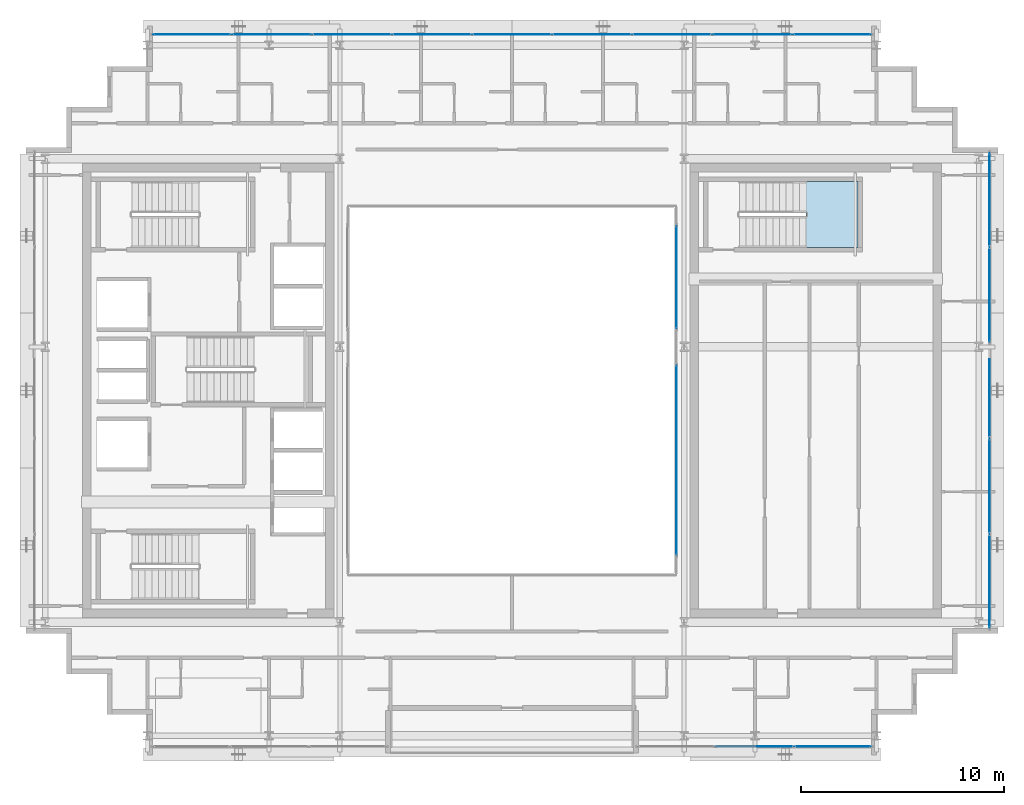
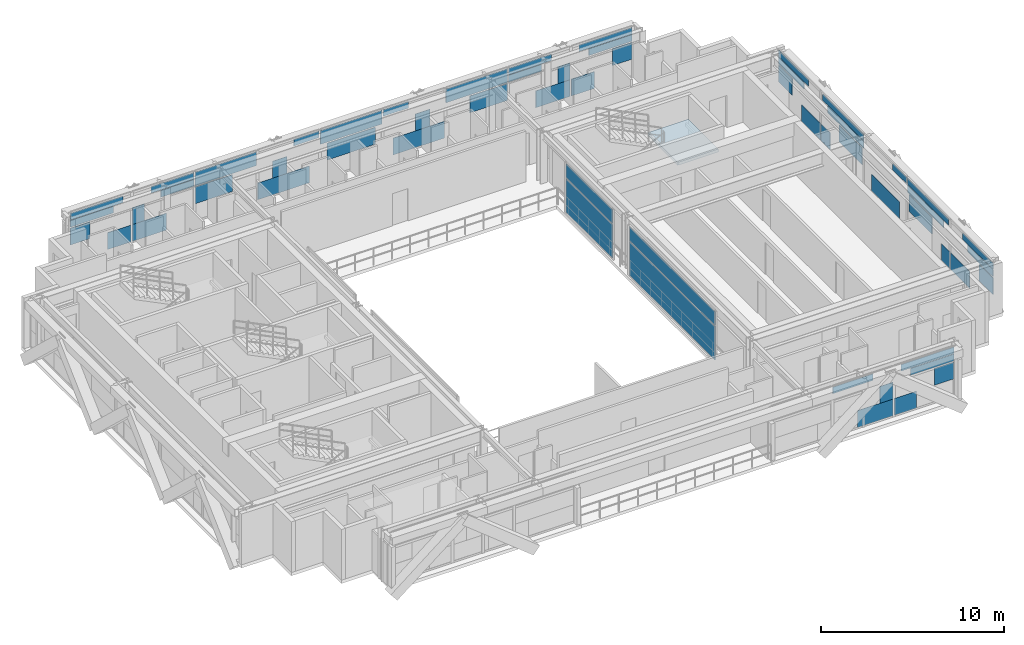
# One storey, part 19 of 29: 57 plates, 1 slab, 6 elements without a shape of their own.
"""IFC4 building model written with IfcOpenShell, lengths in metres."""

from ifc_helpers import new_model, si_unit, direction, frame, origin, origin_2d, place, context, subcontext, project, spatial, polyline, rectangle, outline, extrude, source, transform, mapped, material, layer, layer_set, type_object, element, aggregate, save


model = new_model("IFC4")

# Units and contexts
model_context = context("Model", 3, precision=1e-05, world=origin(), true_north=direction((0.0, 1.0)))
body_context = subcontext(model_context, "Body", "Model", "MODEL_VIEW")
ifc_project = project(units=[si_unit("LENGTHUNIT", "METRE"), si_unit("AREAUNIT", "SQUARE_METRE"), si_unit("VOLUMEUNIT", "CUBIC_METRE"), si_unit("PLANEANGLEUNIT", "RADIAN"), si_unit("MASSUNIT", "GRAM", prefix="KILO")], contexts=[model_context])

# Site, building, storey
site_placement = place(None, origin())
site = spatial("IfcSite", under=ifc_project, at=site_placement, CompositionType="ELEMENT")
building_placement = place(site_placement, origin())
building = spatial("IfcBuilding", under=site, at=building_placement, Name="Ocotamira Hotel", CompositionType="ELEMENT")
storey_placement = place(building_placement, frame((0.0, 0.0, 236.39990234375)))
storey = spatial("IfcBuildingStorey", under=building, at=storey_placement, Name="L59", CompositionType="ELEMENT", Elevation=236.39990234375)

# Stair, slab
ifc_material_1 = material(Name="Concrete C40/50", Category="concrete")
stair_type = type_object("IfcStairType", Name="ST-CORE-1560", PredefinedType="HALF_TURN_STAIR", material=ifc_material_1)
stair_placement = place(storey_placement, origin())
stair = element("IfcStair", 1, at=stair_placement, inside=storey, type_object=stair_type, Name="L59 Exit Stair ST-4", PredefinedType="HALF_TURN_STAIR")
ifc_layer_1 = layer(ifc_material_1, 0.199951171875)
ifc_layer_set_1 = layer_set([ifc_layer_1], Name="Concrete C40/50")
slab_type = type_object("IfcSlabType", Name="SLB-LAND-200", PredefinedType="LANDING", material=ifc_layer_set_1)
slab_placement = place(storey_placement, frame((0.0, 0.0, 1.60009765625)))
slab = element("IfcSlab", 2, at=slab_placement, type_object=slab_type, Name="ST-4 landing 1", PredefinedType="LANDING", context=body_context, shape_type="SweptSolid", body=[
    extrude(outline(polyline([(46.530029296875, 33.050048828125), (49.090087890625, 33.050048828125), (49.090087890625, 36.330078125), (46.530029296875, 36.330078125), (46.530029296875, 33.050048828125)])), origin(), (0.0, 0.0, 1.0), 0.199951171875),
])
aggregate(stair, [slab])

# Curtain wall, plates
ifc_material_2 = material(Name="Anodised pale-metal aluminium and solar glass", Category="aluminium")
ifc_layer_2 = layer(ifc_material_2, 0.239990234375)
ifc_layer_set_2 = layer_set([ifc_layer_2], Name="Anodised pale-metal aluminium and solar glass")
curtain_wall_type_1 = type_object("IfcCurtainWallType", Name="CW-SYS5-SKY", PredefinedType="NOTDEFINED", material=ifc_layer_set_2)
curtain_wall_1_placement = place(storey_placement, origin())
curtain_wall_1 = element("IfcCurtainWall", 3, at=curtain_wall_1_placement, inside=storey, type_object=curtain_wall_type_1, Name="L59 Curtain Wall CW-5 CW-L59-S2", PredefinedType="NOTDEFINED")
ifc_material_3 = material(Name="Double-silver low-E insulated solar glass", Category="glass")
ifc_layer_3 = layer(ifc_material_3, 0.031982421875)
ifc_layer_set_3 = layer_set([ifc_layer_3], Name="Double-silver low-E insulated solar glass")
plate_type = type_object("IfcPlateType", Name="CWP-VISION-32", PredefinedType="CURTAIN_PANEL", material=ifc_layer_set_3)
shared_shape_1 = source(origin(), body_context, "Body", "SweptSolid", [
    extrude(rectangle(XDim=1.4033203125, YDim=0.031982421875, at=origin_2d()), origin(), (0.0, 0.0, 1.0), 1.118896484375),
])
plate_1_placement = place(storey_placement, frame((46.658447265625, 8.419921875, 0.0751953125), z_axis=(0.0, 0.0, 1.0), x_axis=(1.0, 0.0, 0.0)))
plate_1 = element("IfcPlate", 4, at=plate_1_placement, type_object=plate_type, Name="CW-5 panel 3.1.1", PredefinedType="CURTAIN_PANEL", context=body_context, shape_type="MappedRepresentation", body=[
    mapped(shared_shape_1, transform((0.0, 0.0, 0.0), scale=1.0)),
])
shared_shape_2 = source(origin(), body_context, "Body", "SweptSolid", [
    extrude(rectangle(XDim=3.337646484375, YDim=0.031982421875, at=origin_2d()), origin(), (0.0, 0.0, 1.0), 0.4326171875),
])
plate_2_placement = place(storey_placement, frame((48.05126953125, 8.419921875, 2.87255859375), z_axis=(0.0, 0.0, 1.0), x_axis=(1.0, 0.0, 0.0)))
plate_2 = element("IfcPlate", 5, at=plate_2_placement, type_object=plate_type, Name="CW-5 panel 3.2.1", PredefinedType="CURTAIN_PANEL", context=body_context, shape_type="MappedRepresentation", body=[
    mapped(shared_shape_2, transform((0.0, 0.0, 0.0), scale=1.0)),
])

curtain_wall_2_placement = place(storey_placement, origin())
curtain_wall_2 = element("IfcCurtainWall", 6, at=curtain_wall_2_placement, inside=storey, type_object=curtain_wall_type_1, Name="L59 Curtain Wall CW-5 CW-L59-N", PredefinedType="NOTDEFINED")
plate_3_placement = place(storey_placement, frame((15.94873046875, 43.580078125, 2.87255859375), z_axis=(0.0, 0.0, 1.0), x_axis=(1.0, 0.0, 0.0)))
plate_3 = element("IfcPlate", 7, at=plate_3_placement, type_object=plate_type, Name="CW-5 panel 1.2.2", PredefinedType="CURTAIN_PANEL", context=body_context, shape_type="MappedRepresentation", body=[
    mapped(shared_shape_2, transform((0.0, 0.0, 0.0), scale=1.0)),
])
plate_4_placement = place(storey_placement, frame((48.05126953125, 43.580078125, 2.87255859375), z_axis=(0.0, 0.0, 1.0), x_axis=(1.0, 0.0, 0.0)))
plate_4 = element("IfcPlate", 8, at=plate_4_placement, type_object=plate_type, Name="CW-5 panel 9.2.1", PredefinedType="CURTAIN_PANEL", context=body_context, shape_type="MappedRepresentation", body=[
    mapped(shared_shape_2, transform((0.0, 0.0, 0.0), scale=1.0)),
])

# Plate
shared_shape_3 = source(origin(), body_context, "Body", "SweptSolid", [
    extrude(rectangle(XDim=2.544189453125, YDim=0.031982421875, at=origin_2d()), origin(), (0.0, 0.0, 1.0), 0.4326171875),
])
plate_5_placement = place(storey_placement, frame((43.345458984375, 8.419921875, 2.87255859375), z_axis=(0.0, 0.0, 1.0), x_axis=(1.0, 0.0, 0.0)))
plate_5 = element("IfcPlate", 9, at=plate_5_placement, type_object=plate_type, Name="CW-5 panel 2.2.2", PredefinedType="CURTAIN_PANEL", context=body_context, shape_type="MappedRepresentation", body=[
    mapped(shared_shape_3, transform((0.0, 0.0, 0.0), scale=1.0)),
])

shared_shape_4 = source(origin(), body_context, "Body", "SweptSolid", [
    extrude(rectangle(XDim=2.688720703125, YDim=0.031982421875, at=origin_2d()), origin(), (0.0, 0.0, 1.0), 0.4326171875),
])
plate_6_placement = place(storey_placement, frame((20.726806640625, 43.580078125, 2.87255859375), z_axis=(0.0, 0.0, 1.0), x_axis=(1.0, 0.0, 0.0)))
plate_6 = element("IfcPlate", 10, at=plate_6_placement, type_object=plate_type, Name="CW-5 panel 2.2.1", PredefinedType="CURTAIN_PANEL", context=body_context, shape_type="MappedRepresentation", body=[
    mapped(shared_shape_4, transform((0.0, 0.0, 0.0), scale=1.0)),
])

plate_7_placement = place(storey_placement, frame((43.273193359375, 43.580078125, 2.87255859375), z_axis=(0.0, 0.0, 1.0), x_axis=(1.0, 0.0, 0.0)))
plate_7 = element("IfcPlate", 11, at=plate_7_placement, type_object=plate_type, Name="CW-5 panel 8.2.2", PredefinedType="CURTAIN_PANEL", context=body_context, shape_type="MappedRepresentation", body=[
    mapped(shared_shape_4, transform((0.0, 0.0, 0.0), scale=1.0)),
])

shared_shape_5 = source(origin(), body_context, "Body", "SweptSolid", [
    extrude(rectangle(XDim=1.599853515625, YDim=0.031982421875, at=origin_2d()), origin(), (0.0, 0.0, 1.0), 0.4326171875),
])
plate_8_placement = place(storey_placement, frame((29.182373046875, 43.580078125, 2.87255859375), z_axis=(0.0, 0.0, 1.0), x_axis=(1.0, 0.0, 0.0)))
plate_8 = element("IfcPlate", 12, at=plate_8_placement, type_object=plate_type, Name="CW-5 panel 4.2.1", PredefinedType="CURTAIN_PANEL", context=body_context, shape_type="MappedRepresentation", body=[
    mapped(shared_shape_5, transform((0.0, 0.0, 0.0), scale=1.0)),
])

plate_9_placement = place(storey_placement, frame((34.817626953125, 43.580078125, 2.87255859375), z_axis=(0.0, 0.0, 1.0), x_axis=(1.0, 0.0, 0.0)))
plate_9 = element("IfcPlate", 13, at=plate_9_placement, type_object=plate_type, Name="CW-5 panel 6.2.1", PredefinedType="CURTAIN_PANEL", context=body_context, shape_type="MappedRepresentation", body=[
    mapped(shared_shape_5, transform((0.0, 0.0, 0.0), scale=1.0)),
])

shared_shape_6 = source(origin(), body_context, "Body", "SweptSolid", [
    extrude(rectangle(XDim=0.923095703125, YDim=0.031982421875, at=origin_2d()), origin(), (0.0, 0.0, 1.0), 1.118896484375),
])
plate_10_placement = place(storey_placement, frame((27.5, 43.580078125, 1.19384765625), z_axis=(0.0, 0.0, 1.0), x_axis=(1.0, 0.0, 0.0)))
plate_10 = element("IfcPlate", 14, at=plate_10_placement, type_object=plate_type, Name="CW-5 panel 4.1.2", PredefinedType="CURTAIN_PANEL", context=body_context, shape_type="MappedRepresentation", body=[
    mapped(shared_shape_6, transform((0.0, 0.0, 0.0), scale=1.0)),
])

plate_11_placement = place(storey_placement, frame((36.5, 43.580078125, 1.19384765625), z_axis=(0.0, 0.0, 1.0), x_axis=(1.0, 0.0, 0.0)))
plate_11 = element("IfcPlate", 15, at=plate_11_placement, type_object=plate_type, Name="CW-5 panel 6.1.2", PredefinedType="CURTAIN_PANEL", context=body_context, shape_type="MappedRepresentation", body=[
    mapped(shared_shape_6, transform((0.0, 0.0, 0.0), scale=1.0)),
])

shared_shape_7 = source(origin(), body_context, "Body", "SweptSolid", [
    extrude(rectangle(XDim=3.87548828125, YDim=0.031982421875, at=origin_2d()), origin(), (0.0, 0.0, 1.0), 0.91748046875),
])
plate_12_placement = place(storey_placement, frame((24.0888671875, 43.580078125, 2.3876953125), z_axis=(0.0, 0.0, 1.0), x_axis=(1.0, 0.0, 0.0)))
plate_12 = element("IfcPlate", 16, at=plate_12_placement, type_object=plate_type, Name="CW-5 panel 3.2", PredefinedType="CURTAIN_PANEL", context=body_context, shape_type="MappedRepresentation", body=[
    mapped(shared_shape_7, transform((0.0, 0.0, 0.0), scale=1.0)),
])

plate_13_placement = place(storey_placement, frame((32.0, 43.580078125, 2.3876953125), z_axis=(0.0, 0.0, 1.0), x_axis=(1.0, 0.0, 0.0)))
plate_13 = element("IfcPlate", 17, at=plate_13_placement, type_object=plate_type, Name="CW-5 panel 5.2", PredefinedType="CURTAIN_PANEL", context=body_context, shape_type="MappedRepresentation", body=[
    mapped(shared_shape_7, transform((0.0, 0.0, 0.0), scale=1.0)),
])

plate_14_placement = place(storey_placement, frame((39.9111328125, 43.580078125, 2.3876953125), z_axis=(0.0, 0.0, 1.0), x_axis=(1.0, 0.0, 0.0)))
plate_14 = element("IfcPlate", 18, at=plate_14_placement, type_object=plate_type, Name="CW-5 panel 7.2", PredefinedType="CURTAIN_PANEL", context=body_context, shape_type="MappedRepresentation", body=[
    mapped(shared_shape_7, transform((0.0, 0.0, 0.0), scale=1.0)),
])

# Curtain wall, plates
curtain_wall_3_placement = place(storey_placement, origin())
curtain_wall_3 = element("IfcCurtainWall", 19, at=curtain_wall_3_placement, inside=storey, type_object=curtain_wall_type_1, Name="L59 Curtain Wall CW-5 CW-L59-E", PredefinedType="NOTDEFINED")
shared_shape_8 = source(origin(), body_context, "Body", "SweptSolid", [
    extrude(rectangle(XDim=2.507568359375, YDim=0.031982421875, at=origin_2d()), origin(), (0.0, 0.0, 1.0), 1.118896484375),
])
plate_15_placement = place(storey_placement, frame((55.580078125, 22.183349609375, 1.19384765625), z_axis=(0.0, 0.0, 1.0), x_axis=(0.0, 1.0, 0.0)))
plate_15 = element("IfcPlate", 20, at=plate_15_placement, type_object=plate_type, Name="CW-5 panel 2.1.2", PredefinedType="CURTAIN_PANEL", context=body_context, shape_type="MappedRepresentation", body=[
    mapped(shared_shape_8, transform((0.0, 0.0, 0.0), scale=1.0)),
])
plate_16_placement = place(storey_placement, frame((55.580078125, 29.816650390625, 1.19384765625), z_axis=(0.0, 0.0, 1.0), x_axis=(0.0, 1.0, 0.0)))
plate_16 = element("IfcPlate", 21, at=plate_16_placement, type_object=plate_type, Name="CW-5 panel 4.1.1", PredefinedType="CURTAIN_PANEL", context=body_context, shape_type="MappedRepresentation", body=[
    mapped(shared_shape_8, transform((0.0, 0.0, 0.0), scale=1.0)),
])

# Plate
shared_shape_9 = source(origin(), body_context, "Body", "SweptSolid", [
    extrude(rectangle(XDim=1.239501953125, YDim=0.031982421875, at=origin_2d()), origin(), (0.0, 0.0, 1.0), 1.118896484375),
])
plate_17_placement = place(storey_placement, frame((49.100341796875, 8.419921875, 1.19384765625), z_axis=(0.0, 0.0, 1.0), x_axis=(1.0, 0.0, 0.0)))
plate_17 = element("IfcPlate", 22, at=plate_17_placement, type_object=plate_type, Name="CW-5 panel 3.1.2", PredefinedType="CURTAIN_PANEL", context=body_context, shape_type="MappedRepresentation", body=[
    mapped(shared_shape_9, transform((0.0, 0.0, 0.0), scale=1.0)),
])

plate_18_placement = place(storey_placement, frame((14.899658203125, 43.580078125, 1.19384765625), z_axis=(0.0, 0.0, 1.0), x_axis=(1.0, 0.0, 0.0)))
plate_18 = element("IfcPlate", 23, at=plate_18_placement, type_object=plate_type, Name="CW-5 panel 1.1.1", PredefinedType="CURTAIN_PANEL", context=body_context, shape_type="MappedRepresentation", body=[
    mapped(shared_shape_9, transform((0.0, 0.0, 0.0), scale=1.0)),
])

plate_19_placement = place(storey_placement, frame((49.100341796875, 43.580078125, 1.19384765625), z_axis=(0.0, 0.0, 1.0), x_axis=(1.0, 0.0, 0.0)))
plate_19 = element("IfcPlate", 24, at=plate_19_placement, type_object=plate_type, Name="CW-5 panel 9.1.2", PredefinedType="CURTAIN_PANEL", context=body_context, shape_type="MappedRepresentation", body=[
    mapped(shared_shape_9, transform((0.0, 0.0, 0.0), scale=1.0)),
])

shared_shape_10 = source(origin(), body_context, "Body", "SweptSolid", [
    extrude(rectangle(XDim=2.731689453125, YDim=0.031982421875, at=origin_2d()), origin(), (0.0, 0.0, 1.0), 0.45361328125),
])
plate_20_placement = place(storey_placement, frame((48.354248046875, 8.419921875, 2.3876953125), z_axis=(0.0, 0.0, 1.0), x_axis=(1.0, 0.0, 0.0)))
plate_20 = element("IfcPlate", 25, at=plate_20_placement, type_object=plate_type, Name="CW-5 panel 3.2.2", PredefinedType="CURTAIN_PANEL", context=body_context, shape_type="MappedRepresentation", body=[
    mapped(shared_shape_10, transform((0.0, 0.0, 0.0), scale=1.0)),
])

plate_21_placement = place(storey_placement, frame((15.645751953125, 43.580078125, 2.3876953125), z_axis=(0.0, 0.0, 1.0), x_axis=(1.0, 0.0, 0.0)))
plate_21 = element("IfcPlate", 26, at=plate_21_placement, type_object=plate_type, Name="CW-5 panel 1.2.1", PredefinedType="CURTAIN_PANEL", context=body_context, shape_type="MappedRepresentation", body=[
    mapped(shared_shape_10, transform((0.0, 0.0, 0.0), scale=1.0)),
])

plate_22_placement = place(storey_placement, frame((48.354248046875, 43.580078125, 2.3876953125), z_axis=(0.0, 0.0, 1.0), x_axis=(1.0, 0.0, 0.0)))
plate_22 = element("IfcPlate", 27, at=plate_22_placement, type_object=plate_type, Name="CW-5 panel 9.2.2", PredefinedType="CURTAIN_PANEL", context=body_context, shape_type="MappedRepresentation", body=[
    mapped(shared_shape_10, transform((0.0, 0.0, 0.0), scale=1.0)),
])

shared_shape_11 = source(origin(), body_context, "Body", "SweptSolid", [
    extrude(rectangle(XDim=2.23681640625, YDim=0.031982421875, at=origin_2d()), origin(), (0.0, 0.0, 1.0), 1.118896484375),
])
plate_23_placement = place(storey_placement, frame((44.75830078125, 8.419921875, 0.0751953125), z_axis=(0.0, 0.0, 1.0), x_axis=(1.0, 0.0, 0.0)))
plate_23 = element("IfcPlate", 28, at=plate_23_placement, type_object=plate_type, Name="CW-5 panel 2.1.1", PredefinedType="CURTAIN_PANEL", context=body_context, shape_type="MappedRepresentation", body=[
    mapped(shared_shape_11, transform((0.0, 0.0, 0.0), scale=1.0)),
])

shared_shape_12 = source(origin(), body_context, "Body", "SweptSolid", [
    extrude(rectangle(XDim=0.83837890625, YDim=0.031982421875, at=origin_2d()), origin(), (0.0, 0.0, 1.0), 1.118896484375),
])
plate_24_placement = place(storey_placement, frame((45.45751953125, 8.419921875, 1.19384765625), z_axis=(0.0, 0.0, 1.0), x_axis=(1.0, 0.0, 0.0)))
plate_24 = element("IfcPlate", 29, at=plate_24_placement, type_object=plate_type, Name="CW-5 panel 2.1.2", PredefinedType="CURTAIN_PANEL", context=body_context, shape_type="MappedRepresentation", body=[
    mapped(shared_shape_12, transform((0.0, 0.0, 0.0), scale=1.0)),
])

aggregate(curtain_wall_1, [plate_23, plate_24, plate_5, plate_1, plate_17, plate_2, plate_20])

shared_shape_13 = source(origin(), body_context, "Body", "SweptSolid", [
    extrude(rectangle(XDim=1.4755859375, YDim=0.031982421875, at=origin_2d()), origin(), (0.0, 0.0, 1.0), 1.118896484375),
])
plate_25_placement = place(storey_placement, frame((17.377685546875, 43.580078125, 0.0751953125), z_axis=(0.0, 0.0, 1.0), x_axis=(1.0, 0.0, 0.0)))
plate_25 = element("IfcPlate", 30, at=plate_25_placement, type_object=plate_type, Name="CW-5 panel 1.1.2", PredefinedType="CURTAIN_PANEL", context=body_context, shape_type="MappedRepresentation", body=[
    mapped(shared_shape_13, transform((0.0, 0.0, 0.0), scale=1.0)),
])

plate_26_placement = place(storey_placement, frame((46.622314453125, 43.580078125, 0.0751953125), z_axis=(0.0, 0.0, 1.0), x_axis=(1.0, 0.0, 0.0)))
plate_26 = element("IfcPlate", 31, at=plate_26_placement, type_object=plate_type, Name="CW-5 panel 9.1.1", PredefinedType="CURTAIN_PANEL", context=body_context, shape_type="MappedRepresentation", body=[
    mapped(shared_shape_13, transform((0.0, 0.0, 0.0), scale=1.0)),
])

shared_shape_14 = source(origin(), body_context, "Body", "SweptSolid", [
    extrude(rectangle(XDim=2.16455078125, YDim=0.031982421875, at=origin_2d()), origin(), (0.0, 0.0, 1.0), 1.118896484375),
])
plate_27_placement = place(storey_placement, frame((19.27783203125, 43.580078125, 0.0751953125), z_axis=(0.0, 0.0, 1.0), x_axis=(1.0, 0.0, 0.0)))
plate_27 = element("IfcPlate", 32, at=plate_27_placement, type_object=plate_type, Name="CW-5 panel 2.1.1", PredefinedType="CURTAIN_PANEL", context=body_context, shape_type="MappedRepresentation", body=[
    mapped(shared_shape_14, transform((0.0, 0.0, 0.0), scale=1.0)),
])

plate_28_placement = place(storey_placement, frame((44.72216796875, 43.580078125, 0.0751953125), z_axis=(0.0, 0.0, 1.0), x_axis=(1.0, 0.0, 0.0)))
plate_28 = element("IfcPlate", 33, at=plate_28_placement, type_object=plate_type, Name="CW-5 panel 8.1.1", PredefinedType="CURTAIN_PANEL", context=body_context, shape_type="MappedRepresentation", body=[
    mapped(shared_shape_14, transform((0.0, 0.0, 0.0), scale=1.0)),
])

shared_shape_15 = source(origin(), body_context, "Body", "SweptSolid", [
    extrude(rectangle(XDim=0.76611328125, YDim=0.031982421875, at=origin_2d()), origin(), (0.0, 0.0, 1.0), 1.118896484375),
])
plate_29_placement = place(storey_placement, frame((18.57861328125, 43.580078125, 1.19384765625), z_axis=(0.0, 0.0, 1.0), x_axis=(1.0, 0.0, 0.0)))
plate_29 = element("IfcPlate", 34, at=plate_29_placement, type_object=plate_type, Name="CW-5 panel 2.1.2", PredefinedType="CURTAIN_PANEL", context=body_context, shape_type="MappedRepresentation", body=[
    mapped(shared_shape_15, transform((0.0, 0.0, 0.0), scale=1.0)),
])

plate_30_placement = place(storey_placement, frame((45.42138671875, 43.580078125, 1.19384765625), z_axis=(0.0, 0.0, 1.0), x_axis=(1.0, 0.0, 0.0)))
plate_30 = element("IfcPlate", 35, at=plate_30_placement, type_object=plate_type, Name="CW-5 panel 8.1.2", PredefinedType="CURTAIN_PANEL", context=body_context, shape_type="MappedRepresentation", body=[
    mapped(shared_shape_15, transform((0.0, 0.0, 0.0), scale=1.0)),
])

shared_shape_16 = source(origin(), body_context, "Body", "SweptSolid", [
    extrude(rectangle(XDim=2.082763671875, YDim=0.031982421875, at=origin_2d()), origin(), (0.0, 0.0, 1.0), 0.45361328125),
])
plate_31_placement = place(storey_placement, frame((21.02978515625, 43.580078125, 2.3876953125), z_axis=(0.0, 0.0, 1.0), x_axis=(1.0, 0.0, 0.0)))
plate_31 = element("IfcPlate", 36, at=plate_31_placement, type_object=plate_type, Name="CW-5 panel 2.2.2", PredefinedType="CURTAIN_PANEL", context=body_context, shape_type="MappedRepresentation", body=[
    mapped(shared_shape_16, transform((0.0, 0.0, 0.0), scale=1.0)),
])

plate_32_placement = place(storey_placement, frame((42.97021484375, 43.580078125, 2.3876953125), z_axis=(0.0, 0.0, 1.0), x_axis=(1.0, 0.0, 0.0)))
plate_32 = element("IfcPlate", 37, at=plate_32_placement, type_object=plate_type, Name="CW-5 panel 8.2.1", PredefinedType="CURTAIN_PANEL", context=body_context, shape_type="MappedRepresentation", body=[
    mapped(shared_shape_16, transform((0.0, 0.0, 0.0), scale=1.0)),
])

shared_shape_17 = source(origin(), body_context, "Body", "SweptSolid", [
    extrude(rectangle(XDim=2.368408203125, YDim=0.031982421875, at=origin_2d()), origin(), (0.0, 0.0, 1.0), 1.118896484375),
])
plate_33_placement = place(storey_placement, frame((23.335205078125, 43.580078125, 1.19384765625), z_axis=(0.0, 0.0, 1.0), x_axis=(1.0, 0.0, 0.0)))
plate_33 = element("IfcPlate", 38, at=plate_33_placement, type_object=plate_type, Name="CW-5 panel 3.1.1", PredefinedType="CURTAIN_PANEL", context=body_context, shape_type="MappedRepresentation", body=[
    mapped(shared_shape_17, transform((0.0, 0.0, 0.0), scale=1.0)),
])

plate_34_placement = place(storey_placement, frame((40.664794921875, 43.580078125, 1.19384765625), z_axis=(0.0, 0.0, 1.0), x_axis=(1.0, 0.0, 0.0)))
plate_34 = element("IfcPlate", 39, at=plate_34_placement, type_object=plate_type, Name="CW-5 panel 7.1.1", PredefinedType="CURTAIN_PANEL", context=body_context, shape_type="MappedRepresentation", body=[
    mapped(shared_shape_17, transform((0.0, 0.0, 0.0), scale=1.0)),
])

shared_shape_18 = source(origin(), body_context, "Body", "SweptSolid", [
    extrude(rectangle(XDim=3.25341796875, YDim=0.031982421875, at=origin_2d()), origin(), (0.0, 0.0, 1.0), 1.118896484375),
])
plate_35_placement = place(storey_placement, frame((27.7333984375, 43.580078125, 0.0751953125), z_axis=(0.0, 0.0, 1.0), x_axis=(1.0, 0.0, 0.0)))
plate_35 = element("IfcPlate", 40, at=plate_35_placement, type_object=plate_type, Name="CW-5 panel 4.1.1", PredefinedType="CURTAIN_PANEL", context=body_context, shape_type="MappedRepresentation", body=[
    mapped(shared_shape_18, transform((0.0, 0.0, 0.0), scale=1.0)),
])

plate_36_placement = place(storey_placement, frame((36.2666015625, 43.580078125, 0.0751953125), z_axis=(0.0, 0.0, 1.0), x_axis=(1.0, 0.0, 0.0)))
plate_36 = element("IfcPlate", 41, at=plate_36_placement, type_object=plate_type, Name="CW-5 panel 6.1.1", PredefinedType="CURTAIN_PANEL", context=body_context, shape_type="MappedRepresentation", body=[
    mapped(shared_shape_18, transform((0.0, 0.0, 0.0), scale=1.0)),
])

shared_shape_19 = source(origin(), body_context, "Body", "SweptSolid", [
    extrude(rectangle(XDim=3.038818359375, YDim=0.031982421875, at=origin_2d()), origin(), (0.0, 0.0, 1.0), 1.118896484375),
])
plate_37_placement = place(storey_placement, frame((32.0, 43.580078125, 1.19384765625), z_axis=(0.0, 0.0, 1.0), x_axis=(1.0, 0.0, 0.0)))
plate_37 = element("IfcPlate", 42, at=plate_37_placement, type_object=plate_type, Name="CW-5 panel 5.1.1", PredefinedType="CURTAIN_PANEL", context=body_context, shape_type="MappedRepresentation", body=[
    mapped(shared_shape_19, transform((0.0, 0.0, 0.0), scale=1.0)),
])

aggregate(curtain_wall_2, [plate_18, plate_25, plate_21, plate_3, plate_27, plate_29, plate_6, plate_31, plate_33, plate_12, plate_35, plate_10, plate_8, plate_37, plate_13, plate_36, plate_11, plate_9, plate_34, plate_14, plate_28, plate_30, plate_32, plate_7, plate_26, plate_19, plate_4, plate_22])

shared_shape_20 = source(origin(), body_context, "Body", "SweptSolid", [
    extrude(rectangle(XDim=1.523681640625, YDim=0.031982421875, at=origin_2d()), origin(), (0.0, 0.0, 1.0), 1.118896484375),
])
plate_38_placement = place(storey_placement, frame((55.580078125, 15.0419921875, 1.19384765625), z_axis=(0.0, 0.0, 1.0), x_axis=(0.0, 1.0, 0.0)))
plate_38 = element("IfcPlate", 43, at=plate_38_placement, type_object=plate_type, Name="CW-5 panel 1.1.1", PredefinedType="CURTAIN_PANEL", context=body_context, shape_type="MappedRepresentation", body=[
    mapped(shared_shape_20, transform((0.0, 0.0, 0.0), scale=1.0)),
])

plate_39_placement = place(storey_placement, frame((55.580078125, 36.9580078125, 1.19384765625), z_axis=(0.0, 0.0, 1.0), x_axis=(0.0, 1.0, 0.0)))
plate_39 = element("IfcPlate", 44, at=plate_39_placement, type_object=plate_type, Name="CW-5 panel 5.1.2", PredefinedType="CURTAIN_PANEL", context=body_context, shape_type="MappedRepresentation", body=[
    mapped(shared_shape_20, transform((0.0, 0.0, 0.0), scale=1.0)),
])

shared_shape_21 = source(origin(), body_context, "Body", "SweptSolid", [
    extrude(rectangle(XDim=2.05615234375, YDim=0.031982421875, at=origin_2d()), origin(), (0.0, 0.0, 1.0), 1.118896484375),
])
plate_40_placement = place(storey_placement, frame((55.580078125, 17.85205078125, 0.0751953125), z_axis=(0.0, 0.0, 1.0), x_axis=(0.0, 1.0, 0.0)))
plate_40 = element("IfcPlate", 45, at=plate_40_placement, type_object=plate_type, Name="CW-5 panel 1.1.2", PredefinedType="CURTAIN_PANEL", context=body_context, shape_type="MappedRepresentation", body=[
    mapped(shared_shape_21, transform((0.0, 0.0, 0.0), scale=1.0)),
])

plate_41_placement = place(storey_placement, frame((55.580078125, 34.14794921875, 0.0751953125), z_axis=(0.0, 0.0, 1.0), x_axis=(0.0, 1.0, 0.0)))
plate_41 = element("IfcPlate", 46, at=plate_41_placement, type_object=plate_type, Name="CW-5 panel 5.1.1", PredefinedType="CURTAIN_PANEL", context=body_context, shape_type="MappedRepresentation", body=[
    mapped(shared_shape_21, transform((0.0, 0.0, 0.0), scale=1.0)),
])

shared_shape_22 = source(origin(), body_context, "Body", "SweptSolid", [
    extrude(rectangle(XDim=2.789306640625, YDim=0.031982421875, at=origin_2d()), origin(), (0.0, 0.0, 1.0), 0.470703125),
])
plate_42_placement = place(storey_placement, frame((55.580078125, 15.6748046875, 2.3876953125), z_axis=(0.0, 0.0, 1.0), x_axis=(0.0, 1.0, 0.0)))
plate_42 = element("IfcPlate", 47, at=plate_42_placement, type_object=plate_type, Name="CW-5 panel 1.2.1", PredefinedType="CURTAIN_PANEL", context=body_context, shape_type="MappedRepresentation", body=[
    mapped(shared_shape_22, transform((0.0, 0.0, 0.0), scale=1.0)),
])

plate_43_placement = place(storey_placement, frame((55.580078125, 36.3251953125, 2.3876953125), z_axis=(0.0, 0.0, 1.0), x_axis=(0.0, 1.0, 0.0)))
plate_43 = element("IfcPlate", 48, at=plate_43_placement, type_object=plate_type, Name="CW-5 panel 5.2.2", PredefinedType="CURTAIN_PANEL", context=body_context, shape_type="MappedRepresentation", body=[
    mapped(shared_shape_22, transform((0.0, 0.0, 0.0), scale=1.0)),
])

shared_shape_23 = source(origin(), body_context, "Body", "SweptSolid", [
    extrude(rectangle(XDim=3.32470703125, YDim=0.031982421875, at=origin_2d()), origin(), (0.0, 0.0, 1.0), 0.41259765625),
])
plate_44_placement = place(storey_placement, frame((55.580078125, 15.9423828125, 2.892578125), z_axis=(0.0, 0.0, 1.0), x_axis=(0.0, 1.0, 0.0)))
plate_44 = element("IfcPlate", 49, at=plate_44_placement, type_object=plate_type, Name="CW-5 panel 1.2.2", PredefinedType="CURTAIN_PANEL", context=body_context, shape_type="MappedRepresentation", body=[
    mapped(shared_shape_23, transform((0.0, 0.0, 0.0), scale=1.0)),
])

plate_45_placement = place(storey_placement, frame((55.580078125, 36.0576171875, 2.892578125), z_axis=(0.0, 0.0, 1.0), x_axis=(0.0, 1.0, 0.0)))
plate_45 = element("IfcPlate", 50, at=plate_45_placement, type_object=plate_type, Name="CW-5 panel 5.2.1", PredefinedType="CURTAIN_PANEL", context=body_context, shape_type="MappedRepresentation", body=[
    mapped(shared_shape_23, transform((0.0, 0.0, 0.0), scale=1.0)),
])

shared_shape_24 = source(origin(), body_context, "Body", "SweptSolid", [
    extrude(rectangle(XDim=0.94921875, YDim=0.031982421875, at=origin_2d()), origin(), (0.0, 0.0, 1.0), 1.118896484375),
])
plate_46_placement = place(storey_placement, frame((55.580078125, 19.434814453125, 0.0751953125), z_axis=(0.0, 0.0, 1.0), x_axis=(0.0, 1.0, 0.0)))
plate_46 = element("IfcPlate", 51, at=plate_46_placement, type_object=plate_type, Name="CW-5 panel 2.1.1", PredefinedType="CURTAIN_PANEL", context=body_context, shape_type="MappedRepresentation", body=[
    mapped(shared_shape_24, transform((0.0, 0.0, 0.0), scale=1.0)),
])

plate_47_placement = place(storey_placement, frame((55.580078125, 32.565185546875, 0.0751953125), z_axis=(0.0, 0.0, 1.0), x_axis=(0.0, 1.0, 0.0)))
plate_47 = element("IfcPlate", 52, at=plate_47_placement, type_object=plate_type, Name="CW-5 panel 4.1.2", PredefinedType="CURTAIN_PANEL", context=body_context, shape_type="MappedRepresentation", body=[
    mapped(shared_shape_24, transform((0.0, 0.0, 0.0), scale=1.0)),
])

shared_shape_25 = source(origin(), body_context, "Body", "SweptSolid", [
    extrude(rectangle(XDim=4.4716796875, YDim=0.031982421875, at=origin_2d()), origin(), (0.0, 0.0, 1.0), 0.41259765625),
])
plate_48_placement = place(storey_placement, frame((55.580078125, 21.3642578125, 2.892578125), z_axis=(0.0, 0.0, 1.0), x_axis=(0.0, 1.0, 0.0)))
plate_48 = element("IfcPlate", 53, at=plate_48_placement, type_object=plate_type, Name="CW-5 panel 2.2.1", PredefinedType="CURTAIN_PANEL", context=body_context, shape_type="MappedRepresentation", body=[
    mapped(shared_shape_25, transform((0.0, 0.0, 0.0), scale=1.0)),
])

plate_49_placement = place(storey_placement, frame((55.580078125, 30.6357421875, 2.892578125), z_axis=(0.0, 0.0, 1.0), x_axis=(0.0, 1.0, 0.0)))
plate_49 = element("IfcPlate", 54, at=plate_49_placement, type_object=plate_type, Name="CW-5 panel 4.2.2", PredefinedType="CURTAIN_PANEL", context=body_context, shape_type="MappedRepresentation", body=[
    mapped(shared_shape_25, transform((0.0, 0.0, 0.0), scale=1.0)),
])

shared_shape_26 = source(origin(), body_context, "Body", "SweptSolid", [
    extrude(rectangle(XDim=3.93603515625, YDim=0.031982421875, at=origin_2d()), origin(), (0.0, 0.0, 1.0), 0.470703125),
])
plate_50_placement = place(storey_placement, frame((55.580078125, 21.6318359375, 2.3876953125), z_axis=(0.0, 0.0, 1.0), x_axis=(0.0, 1.0, 0.0)))
plate_50 = element("IfcPlate", 55, at=plate_50_placement, type_object=plate_type, Name="CW-5 panel 2.2.2", PredefinedType="CURTAIN_PANEL", context=body_context, shape_type="MappedRepresentation", body=[
    mapped(shared_shape_26, transform((0.0, 0.0, 0.0), scale=1.0)),
])

plate_51_placement = place(storey_placement, frame((55.580078125, 30.3681640625, 2.3876953125), z_axis=(0.0, 0.0, 1.0), x_axis=(0.0, 1.0, 0.0)))
plate_51 = element("IfcPlate", 56, at=plate_51_placement, type_object=plate_type, Name="CW-5 panel 4.2.1", PredefinedType="CURTAIN_PANEL", context=body_context, shape_type="MappedRepresentation", body=[
    mapped(shared_shape_26, transform((0.0, 0.0, 0.0), scale=1.0)),
])

shared_shape_27 = source(origin(), body_context, "Body", "SweptSolid", [
    extrude(rectangle(XDim=3.08544921875, YDim=0.031982421875, at=origin_2d()), origin(), (0.0, 0.0, 1.0), 1.118896484375),
])
plate_52_placement = place(storey_placement, frame((55.580078125, 26.0, 0.0751953125), z_axis=(0.0, 0.0, 1.0), x_axis=(0.0, 1.0, 0.0)))
plate_52 = element("IfcPlate", 57, at=plate_52_placement, type_object=plate_type, Name="CW-5 panel 3.1.1", PredefinedType="CURTAIN_PANEL", context=body_context, shape_type="MappedRepresentation", body=[
    mapped(shared_shape_27, transform((0.0, 0.0, 0.0), scale=1.0)),
])

shared_shape_28 = source(origin(), body_context, "Body", "SweptSolid", [
    extrude(rectangle(XDim=1.55810546875, YDim=0.031982421875, at=origin_2d()), origin(), (0.0, 0.0, 1.0), 0.41259765625),
])
plate_53_placement = place(storey_placement, frame((55.580078125, 24.458984375, 2.892578125), z_axis=(0.0, 0.0, 1.0), x_axis=(0.0, 1.0, 0.0)))
plate_53 = element("IfcPlate", 58, at=plate_53_placement, type_object=plate_type, Name="CW-5 panel 3.2.1", PredefinedType="CURTAIN_PANEL", context=body_context, shape_type="MappedRepresentation", body=[
    mapped(shared_shape_28, transform((0.0, 0.0, 0.0), scale=1.0)),
])

aggregate(curtain_wall_3, [plate_38, plate_40, plate_42, plate_44, plate_46, plate_15, plate_48, plate_50, plate_52, plate_53, plate_16, plate_47, plate_51, plate_49, plate_41, plate_39, plate_45, plate_43])

# Curtain wall, plates
ifc_layer_4 = layer(ifc_material_2, 0.159912109375)
ifc_layer_set_4 = layer_set([ifc_layer_4], Name="Anodised pale-metal aluminium and solar glass")
curtain_wall_type_2 = type_object("IfcCurtainWallType", Name="CW-SYS6-ATR", PredefinedType="NOTDEFINED", material=ifc_layer_set_4)
curtain_wall_4_placement = place(storey_placement, origin())
curtain_wall_4 = element("IfcCurtainWall", 59, at=curtain_wall_4_placement, inside=storey, type_object=curtain_wall_type_2, Name="L59 Curtain Wall CW-6 CW-L59-ATRE1", PredefinedType="NOTDEFINED")
shared_shape_29 = source(origin(), body_context, "Body", "SweptSolid", [
    extrude(rectangle(XDim=9.340087890625, YDim=0.031982421875, at=origin_2d()), origin(), (0.0, 0.0, 1.0), 2.237548828125),
])
plate_54_placement = place(storey_placement, frame((40.1201171875, 22.550048828125, 0.0751953125), z_axis=(0.0, 0.0, 1.0), x_axis=(0.0, 1.0, 0.0)))
plate_54 = element("IfcPlate", 60, at=plate_54_placement, type_object=plate_type, Name="CW-6 panel 1.1", PredefinedType="CURTAIN_PANEL", context=body_context, shape_type="MappedRepresentation", body=[
    mapped(shared_shape_29, transform((0.0, 0.0, 0.0), scale=1.0)),
])
shared_shape_30 = source(origin(), body_context, "Body", "SweptSolid", [
    extrude(rectangle(XDim=9.340087890625, YDim=0.031982421875, at=origin_2d()), origin(), (0.0, 0.0, 1.0), 0.91748046875),
])
plate_55_placement = place(storey_placement, frame((40.1201171875, 22.550048828125, 2.3876953125), z_axis=(0.0, 0.0, 1.0), x_axis=(0.0, 1.0, 0.0)))
plate_55 = element("IfcPlate", 61, at=plate_55_placement, type_object=plate_type, Name="CW-6 panel 1.2", PredefinedType="CURTAIN_PANEL", context=body_context, shape_type="MappedRepresentation", body=[
    mapped(shared_shape_30, transform((0.0, 0.0, 0.0), scale=1.0)),
])
aggregate(curtain_wall_4, [plate_54, plate_55])

curtain_wall_5_placement = place(storey_placement, origin())
curtain_wall_5 = element("IfcCurtainWall", 62, at=curtain_wall_5_placement, inside=storey, type_object=curtain_wall_type_2, Name="L59 Curtain Wall CW-6 CW-L59-ATRE2", PredefinedType="NOTDEFINED")
shared_shape_31 = source(origin(), body_context, "Body", "SweptSolid", [
    extrude(rectangle(XDim=5.0400390625, YDim=0.031982421875, at=origin_2d()), origin(), (0.0, 0.0, 1.0), 2.237548828125),
])
plate_56_placement = place(storey_placement, frame((40.1201171875, 31.60009765625, 0.0751953125), z_axis=(0.0, 0.0, 1.0), x_axis=(0.0, 1.0, 0.0)))
plate_56 = element("IfcPlate", 63, at=plate_56_placement, type_object=plate_type, Name="CW-6 panel 1.1", PredefinedType="CURTAIN_PANEL", context=body_context, shape_type="MappedRepresentation", body=[
    mapped(shared_shape_31, transform((0.0, 0.0, 0.0), scale=1.0)),
])
shared_shape_32 = source(origin(), body_context, "Body", "SweptSolid", [
    extrude(rectangle(XDim=5.0400390625, YDim=0.031982421875, at=origin_2d()), origin(), (0.0, 0.0, 1.0), 0.91748046875),
])
plate_57_placement = place(storey_placement, frame((40.1201171875, 31.60009765625, 2.3876953125), z_axis=(0.0, 0.0, 1.0), x_axis=(0.0, 1.0, 0.0)))
plate_57 = element("IfcPlate", 64, at=plate_57_placement, type_object=plate_type, Name="CW-6 panel 1.2", PredefinedType="CURTAIN_PANEL", context=body_context, shape_type="MappedRepresentation", body=[
    mapped(shared_shape_32, transform((0.0, 0.0, 0.0), scale=1.0)),
])
aggregate(curtain_wall_5, [plate_56, plate_57])

save(model, "model.ifc")
